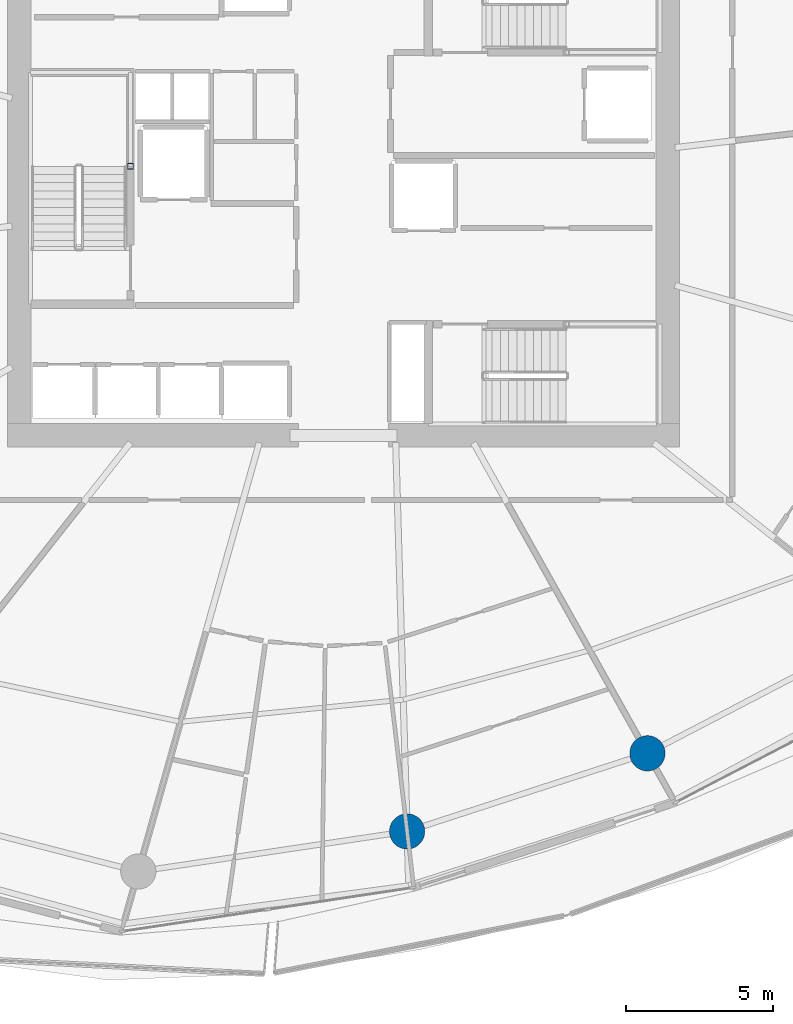
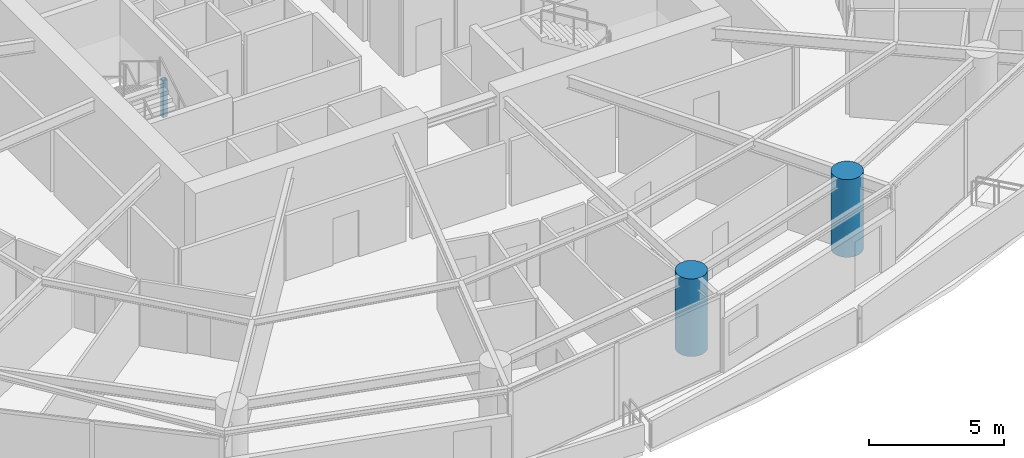
# One storey, part 2 of 23: 3 columns.
"""IFC4 building model written with IfcOpenShell, lengths in metres."""

from ifc_helpers import new_model, si_unit, direction, frame, origin, origin_2d, place, context, subcontext, project, spatial, hollow_rectangle, circle, extrude, material, material_profile, profile_set, type_object, element, save


model = new_model("IFC4")

# Units and contexts
model_context = context("Model", 3, precision=1e-05, world=origin(), true_north=direction((0.0, 1.0)))
body_context = subcontext(model_context, "Body", "Model", "MODEL_VIEW")
ifc_project = project(units=[si_unit("LENGTHUNIT", "METRE"), si_unit("AREAUNIT", "SQUARE_METRE"), si_unit("VOLUMEUNIT", "CUBIC_METRE"), si_unit("PLANEANGLEUNIT", "RADIAN"), si_unit("MASSUNIT", "GRAM", prefix="KILO")], contexts=[model_context])

# Site, building, storey
site_placement = place(None, origin())
site = spatial("IfcSite", under=ifc_project, at=site_placement, CompositionType="ELEMENT")
building_placement = place(site_placement, origin())
building = spatial("IfcBuilding", under=site, at=building_placement, Name="Kazma Halo Residences", CompositionType="ELEMENT")
storey_placement = place(building_placement, frame((0.0, 0.0, 97.64990234375)))
storey = spatial("IfcBuildingStorey", under=building, at=storey_placement, Name="L24", CompositionType="ELEMENT", Elevation=97.64990234375)

# Columns
ifc_material_1 = material(Name="Steel S355", Category="steel")
ifc_material_profile_1 = material_profile(ifc_material_1, hollow_rectangle(XDim=0.199951171875, YDim=0.199951171875, WallThickness=0.010009765625, InnerFilletRadius=0.010009765625, OuterFilletRadius=0.02001953125, at=origin_2d()), Name="SHS200x200x10")
ifc_profile_set_1 = profile_set([ifc_material_profile_1], Name="Steel S355")
column_type_1 = type_object("IfcColumnType", Name="COL-LP-SHS200", PredefinedType="COLUMN", material=ifc_profile_set_1)
column_placement = place(storey_placement, frame((41.179931640625, 42.75, 0.0), z_axis=(0.0, 0.0, 1.0), x_axis=(1.0, 0.0, 0.0)))
element("IfcColumn", 1, at=column_placement, inside=storey, type_object=column_type_1, Name="L24 ST-01 landing pilaster 1", PredefinedType="COLUMN", context=body_context, shape_type="SweptSolid", body=[
    extrude(hollow_rectangle(XDim=0.199951171875, YDim=0.199951171875, WallThickness=0.010009765625, InnerFilletRadius=0.010009765625, OuterFilletRadius=0.02001953125, at=origin_2d()), origin(), (0.0, 0.0, 1.0), 1.670166015625),
])
ifc_material_2 = material(Name="Concrete C80/95", Category="concrete")
ifc_material_profile_2 = material_profile(ifc_material_2, circle(Radius=0.60009765625, at=origin_2d()), Name="CIRC1200")
ifc_profile_set_2 = profile_set([ifc_material_profile_2], Name="Concrete C80/95")
column_type_2 = type_object("IfcColumnType", Name="COL-PERIM-1200", PredefinedType="COLUMN", material=ifc_profile_set_2)
for number, where, z_axis, x_axis, name in (
    (2, (50.58837890625, 20.130859375, 0.0), (0.0, 0.0, 1.0), (1.0, 0.0, 0.0), "L24 perimeter ring column P12"),
    (3, (58.76025390625, 22.7861328125, 0.0), (0.0, 0.0, 1.0), (1.0, 0.0, 0.0), "L24 perimeter ring column P13"),
):
    element("IfcColumn", number, at=place(storey_placement, frame(where, z_axis=z_axis, x_axis=x_axis)), inside=storey, type_object=column_type_2, Name=name, PredefinedType="COLUMN", context=body_context, shape_type="SweptSolid", body=[
        extrude(circle(Radius=0.60009765625, at=origin_2d()), origin(), (0.0, 0.0, 1.0), 3.5),
    ])

save(model, "model.ifc")
